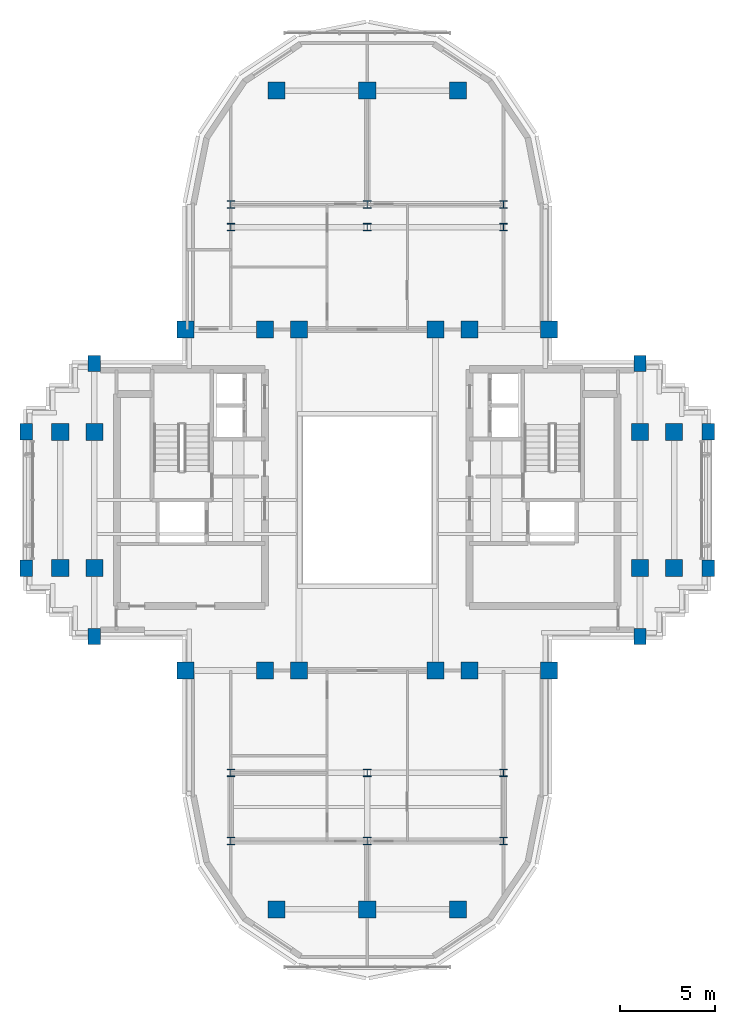
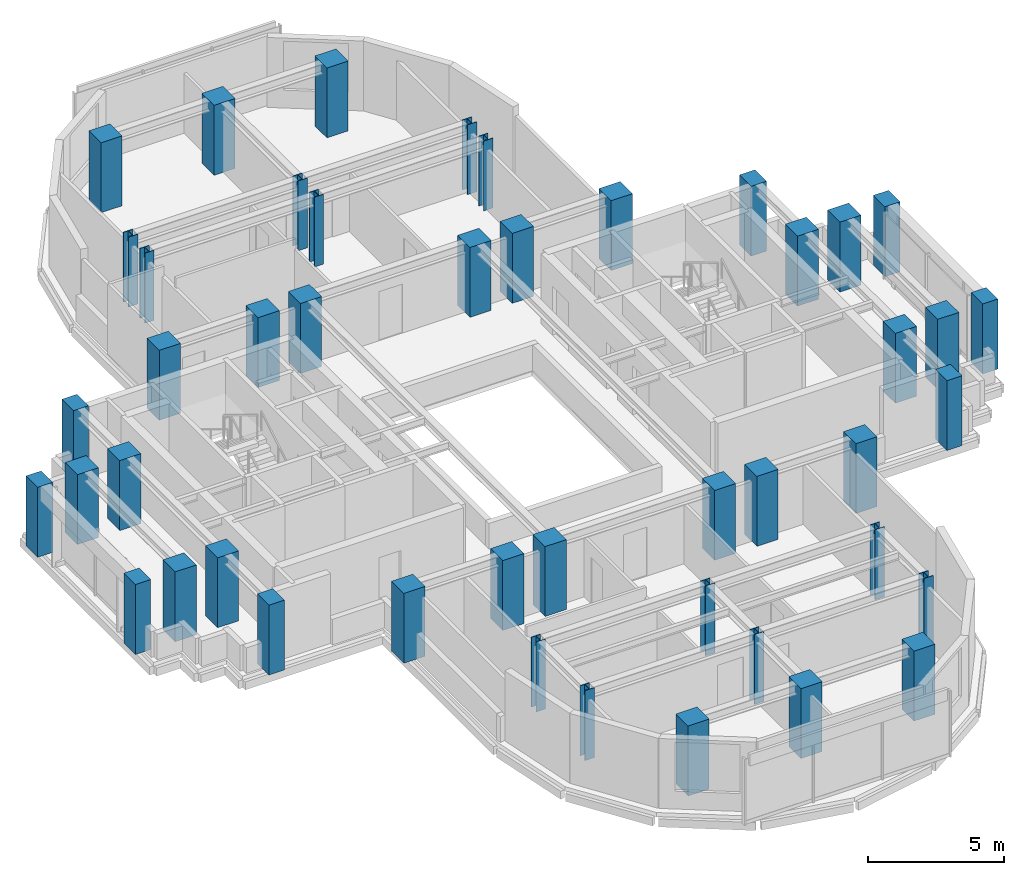
# One storey, part 1 of 11: 46 columns.
"""IFC4 building model written with IfcOpenShell, lengths in metres."""

from ifc_helpers import new_model, si_unit, direction, frame, origin, origin_2d, place, context, subcontext, project, spatial, rectangle, i_section, extrude, source, transform, mapped, material, material_profile, profile_set, type_object, element, save


model = new_model("IFC4")

# Units and contexts
model_context = context("Model", 3, precision=1e-05, world=origin(), true_north=direction((0.0, 1.0)))
body_context = subcontext(model_context, "Body", "Model", "MODEL_VIEW")
ifc_project = project(units=[si_unit("LENGTHUNIT", "METRE"), si_unit("AREAUNIT", "SQUARE_METRE"), si_unit("VOLUMEUNIT", "CUBIC_METRE"), si_unit("PLANEANGLEUNIT", "RADIAN"), si_unit("MASSUNIT", "GRAM", prefix="KILO")], contexts=[model_context])

# Site, building, storey
site_placement = place(None, origin())
site = spatial("IfcSite", under=ifc_project, at=site_placement, CompositionType="ELEMENT")
building_placement = place(site_placement, origin())
building = spatial("IfcBuilding", under=site, at=building_placement, Name="Keilestroom Media Tower", CompositionType="ELEMENT")
storey_placement = place(building_placement, frame((0.0, 0.0, 211.39990234375)))
storey = spatial("IfcBuildingStorey", under=building, at=storey_placement, Name="L58", CompositionType="ELEMENT", Elevation=211.39990234375)

# Columns
ifc_material_1 = material(Name="Precast concrete C40/50", Category="concrete")
ifc_material_profile_1 = material_profile(ifc_material_1, rectangle(XDim=0.64990234375, YDim=0.85009765625, at=origin_2d()), Name="PC 850x650")
ifc_profile_set_1 = profile_set([ifc_material_profile_1], Name="Precast concrete C40/50")
column_type_1 = type_object("IfcColumnType", Name="Structural-Column-PC-850x650", PredefinedType="COLUMN", material=ifc_profile_set_1)
shared_shape_1 = source(origin(), body_context, "Body", "SweptSolid", [
    extrude(rectangle(XDim=0.64990234375, YDim=0.85009765625, at=origin_2d()), origin(), (0.0, 0.0, 1.0), 3.14013671875),
])
for number, where, z_axis, x_axis, name in (
    (1, (-18.0, -3.60009765625, 0.0), (0.0, 0.0, 1.0), (1.0, 0.0, 0.0), "L58 Column PC-2 (-18.0,-3.6)"),
    (2, (-18.0, 3.60009765625, 0.0), (0.0, 0.0, 1.0), (1.0, 0.0, 0.0), "L58 Column PC-2 (-18.0,+3.6)"),
    (3, (-14.39990234375, -7.199951171875, 0.0), (0.0, 0.0, 1.0), (1.0, 0.0, 0.0), "L58 Column PC-2 (-14.4,-7.2)"),
    (4, (-14.39990234375, 7.199951171875, 0.0), (0.0, 0.0, 1.0), (1.0, 0.0, 0.0), "L58 Column PC-2 (-14.4,+7.2)"),
    (5, (14.39990234375, -7.199951171875, 0.0), (0.0, 0.0, 1.0), (1.0, 0.0, 0.0), "L58 Column PC-2 (+14.4,-7.2)"),
    (6, (14.39990234375, 7.199951171875, 0.0), (0.0, 0.0, 1.0), (1.0, 0.0, 0.0), "L58 Column PC-2 (+14.4,+7.2)"),
    (7, (18.0, -3.60009765625, 0.0), (0.0, 0.0, 1.0), (1.0, 0.0, 0.0), "L58 Column PC-2 (+18.0,-3.6)"),
    (8, (18.0, 3.60009765625, 0.0), (0.0, 0.0, 1.0), (1.0, 0.0, 0.0), "L58 Column PC-2 (+18.0,+3.6)"),
):
    element("IfcColumn", number, at=place(storey_placement, frame(where, z_axis=z_axis, x_axis=x_axis)), inside=storey, type_object=column_type_1, Name=name, PredefinedType="COLUMN", context=body_context, shape_type="MappedRepresentation", body=[
        mapped(shared_shape_1, transform((0.0, 0.0, 0.0), x_axis=(1.0, 0.0, 0.0), y_axis=(0.0, 1.0, 0.0), z_axis=(0.0, 0.0, 1.0), scale=1.0)),
    ])
ifc_material_2 = material(Name="Concrete C55/67", Category="concrete")
ifc_material_profile_2 = material_profile(ifc_material_2, rectangle(XDim=0.89990234375, YDim=0.89990234375, at=origin_2d()), Name="RC 900x900")
ifc_profile_set_2 = profile_set([ifc_material_profile_2], Name="Concrete C55/67")
column_type_2 = type_object("IfcColumnType", Name="Structural-Column-RC-900x900", PredefinedType="COLUMN", material=ifc_profile_set_2)
shared_shape_2 = source(origin(), body_context, "Body", "SweptSolid", [
    extrude(rectangle(XDim=0.89990234375, YDim=0.89990234375, at=origin_2d()), origin(), (0.0, 0.0, 1.0), 3.14013671875),
])
for number, where, z_axis, x_axis, name in (
    (9, (-16.199951171875, -3.60009765625, 0.0), (0.0, 0.0, 1.0), (1.0, 0.0, 0.0), "L58 Column MC-4 (-16.2,-3.6)"),
    (10, (-16.199951171875, 3.60009765625, 0.0), (0.0, 0.0, 1.0), (1.0, 0.0, 0.0), "L58 Column MC-4 (-16.2,+3.6)"),
    (11, (-14.39990234375, -3.60009765625, 0.0), (0.0, 0.0, 1.0), (1.0, 0.0, 0.0), "L58 Column MC-4 (-14.4,-3.6)"),
    (12, (-14.39990234375, 3.60009765625, 0.0), (0.0, 0.0, 1.0), (1.0, 0.0, 0.0), "L58 Column MC-4 (-14.4,+3.6)"),
    (13, (-9.60009765625, -9.0, 0.0), (0.0, 0.0, 1.0), (1.0, 0.0, 0.0), "L58 Column MC-4 (-9.6,-9.0)"),
    (14, (-9.60009765625, 9.0, 0.0), (0.0, 0.0, 1.0), (1.0, 0.0, 0.0), "L58 Column MC-4 (-9.6,+9.0)"),
    (15, (-5.39990234375, -9.0, 0.0), (0.0, 0.0, 1.0), (1.0, 0.0, 0.0), "L58 Column MC-4 (-5.4,-9.0)"),
    (16, (-5.39990234375, 9.0, 0.0), (0.0, 0.0, 1.0), (1.0, 0.0, 0.0), "L58 Column MC-4 (-5.4,+9.0)"),
    (17, (-4.800048828125, -21.60009765625, 0.0), (0.0, 0.0, 1.0), (1.0, 0.0, 0.0), "L58 Column MC-4 (-4.8,-21.6)"),
    (18, (-4.800048828125, 21.60009765625, 0.0), (0.0, 0.0, 1.0), (1.0, 0.0, 0.0), "L58 Column MC-4 (-4.8,+21.6)"),
    (19, (-3.60009765625, -9.0, 0.0), (0.0, 0.0, 1.0), (1.0, 0.0, 0.0), "L58 Column MC-4 (-3.6,-9.0)"),
    (20, (-3.60009765625, 9.0, 0.0), (0.0, 0.0, 1.0), (1.0, 0.0, 0.0), "L58 Column MC-4 (-3.6,+9.0)"),
    (21, (0.0, -21.60009765625, 0.0), (0.0, 0.0, 1.0), (1.0, 0.0, 0.0), "L58 Column MC-4 (+0.0,-21.6)"),
    (22, (0.0, 21.60009765625, 0.0), (0.0, 0.0, 1.0), (1.0, 0.0, 0.0), "L58 Column MC-4 (+0.0,+21.6)"),
    (23, (3.60009765625, -9.0, 0.0), (0.0, 0.0, 1.0), (1.0, 0.0, 0.0), "L58 Column MC-4 (+3.6,-9.0)"),
    (24, (3.60009765625, 9.0, 0.0), (0.0, 0.0, 1.0), (1.0, 0.0, 0.0), "L58 Column MC-4 (+3.6,+9.0)"),
    (25, (4.800048828125, -21.60009765625, 0.0), (0.0, 0.0, 1.0), (1.0, 0.0, 0.0), "L58 Column MC-4 (+4.8,-21.6)"),
    (26, (4.800048828125, 21.60009765625, 0.0), (0.0, 0.0, 1.0), (1.0, 0.0, 0.0), "L58 Column MC-4 (+4.8,+21.6)"),
    (27, (5.39990234375, -9.0, 0.0), (0.0, 0.0, 1.0), (1.0, 0.0, 0.0), "L58 Column MC-4 (+5.4,-9.0)"),
    (28, (5.39990234375, 9.0, 0.0), (0.0, 0.0, 1.0), (1.0, 0.0, 0.0), "L58 Column MC-4 (+5.4,+9.0)"),
    (29, (9.60009765625, -9.0, 0.0), (0.0, 0.0, 1.0), (1.0, 0.0, 0.0), "L58 Column MC-4 (+9.6,-9.0)"),
    (30, (9.60009765625, 9.0, 0.0), (0.0, 0.0, 1.0), (1.0, 0.0, 0.0), "L58 Column MC-4 (+9.6,+9.0)"),
    (31, (14.39990234375, -3.60009765625, 0.0), (0.0, 0.0, 1.0), (1.0, 0.0, 0.0), "L58 Column MC-4 (+14.4,-3.6)"),
    (32, (14.39990234375, 3.60009765625, 0.0), (0.0, 0.0, 1.0), (1.0, 0.0, 0.0), "L58 Column MC-4 (+14.4,+3.6)"),
    (33, (16.199951171875, -3.60009765625, 0.0), (0.0, 0.0, 1.0), (1.0, 0.0, 0.0), "L58 Column MC-4 (+16.2,-3.6)"),
    (34, (16.199951171875, 3.60009765625, 0.0), (0.0, 0.0, 1.0), (1.0, 0.0, 0.0), "L58 Column MC-4 (+16.2,+3.6)"),
):
    element("IfcColumn", number, at=place(storey_placement, frame(where, z_axis=z_axis, x_axis=x_axis)), inside=storey, type_object=column_type_2, Name=name, PredefinedType="COLUMN", context=body_context, shape_type="MappedRepresentation", body=[
        mapped(shared_shape_2, transform((0.0, 0.0, 0.0), x_axis=(1.0, 0.0, 0.0), y_axis=(0.0, 1.0, 0.0), z_axis=(0.0, 0.0, 1.0), scale=1.0)),
    ])
ifc_material_3 = material(Name="Steel S355", Category="steel")
ifc_material_profile_3 = material_profile(ifc_material_3, i_section(OverallWidth=0.39794921875, OverallDepth=0.386962890625, WebThickness=0.017578125, FlangeThickness=0.028076171875, at=origin_2d()), Name="HD 400x262")
ifc_profile_set_3 = profile_set([ifc_material_profile_3], Name="Steel S355")
column_type_3 = type_object("IfcColumnType", Name="Structural-Column-HD-400x262", PredefinedType="COLUMN", material=ifc_profile_set_3)
shared_shape_3 = source(origin(), body_context, "Body", "SweptSolid", [
    extrude(i_section(OverallWidth=0.39794921875, OverallDepth=0.386962890625, WebThickness=0.017578125, FlangeThickness=0.028076171875, at=origin_2d()), origin(), (0.0, 0.0, 1.0), 3.14013671875),
])
for number, where, z_axis, x_axis, name in (
    (35, (-7.199951171875, -18.0, 0.0), (0.0, 0.0, 1.0), (1.0, 0.0, 0.0), "L58 Column SC-4 (-7.2,-18.0)"),
    (36, (-7.199951171875, -14.39990234375, 0.0), (0.0, 0.0, 1.0), (1.0, 0.0, 0.0), "L58 Column SC-4 (-7.2,-14.4)"),
    (37, (-7.199951171875, 14.39990234375, 0.0), (0.0, 0.0, 1.0), (1.0, 0.0, 0.0), "L58 Column SC-4 (-7.2,+14.4)"),
    (38, (-7.199951171875, 15.60009765625, 0.0), (0.0, 0.0, 1.0), (1.0, 0.0, 0.0), "L58 Column SC-4 (-7.2,+15.6)"),
    (39, (0.0, -18.0, 0.0), (0.0, 0.0, 1.0), (1.0, 0.0, 0.0), "L58 Column SC-4 (+0.0,-18.0)"),
    (40, (0.0, -14.39990234375, 0.0), (0.0, 0.0, 1.0), (1.0, 0.0, 0.0), "L58 Column SC-4 (+0.0,-14.4)"),
    (41, (0.0, 14.39990234375, 0.0), (0.0, 0.0, 1.0), (1.0, 0.0, 0.0), "L58 Column SC-4 (+0.0,+14.4)"),
    (42, (0.0, 15.60009765625, 0.0), (0.0, 0.0, 1.0), (1.0, 0.0, 0.0), "L58 Column SC-4 (+0.0,+15.6)"),
    (43, (7.199951171875, -18.0, 0.0), (0.0, 0.0, 1.0), (1.0, 0.0, 0.0), "L58 Column SC-4 (+7.2,-18.0)"),
    (44, (7.199951171875, -14.39990234375, 0.0), (0.0, 0.0, 1.0), (1.0, 0.0, 0.0), "L58 Column SC-4 (+7.2,-14.4)"),
    (45, (7.199951171875, 14.39990234375, 0.0), (0.0, 0.0, 1.0), (1.0, 0.0, 0.0), "L58 Column SC-4 (+7.2,+14.4)"),
    (46, (7.199951171875, 15.60009765625, 0.0), (0.0, 0.0, 1.0), (1.0, 0.0, 0.0), "L58 Column SC-4 (+7.2,+15.6)"),
):
    element("IfcColumn", number, at=place(storey_placement, frame(where, z_axis=z_axis, x_axis=x_axis)), inside=storey, type_object=column_type_3, Name=name, PredefinedType="COLUMN", context=body_context, shape_type="MappedRepresentation", body=[
        mapped(shared_shape_3, transform((0.0, 0.0, 0.0), x_axis=(1.0, 0.0, 0.0), y_axis=(0.0, 1.0, 0.0), z_axis=(0.0, 0.0, 1.0), scale=1.0)),
    ])

save(model, "model.ifc")
